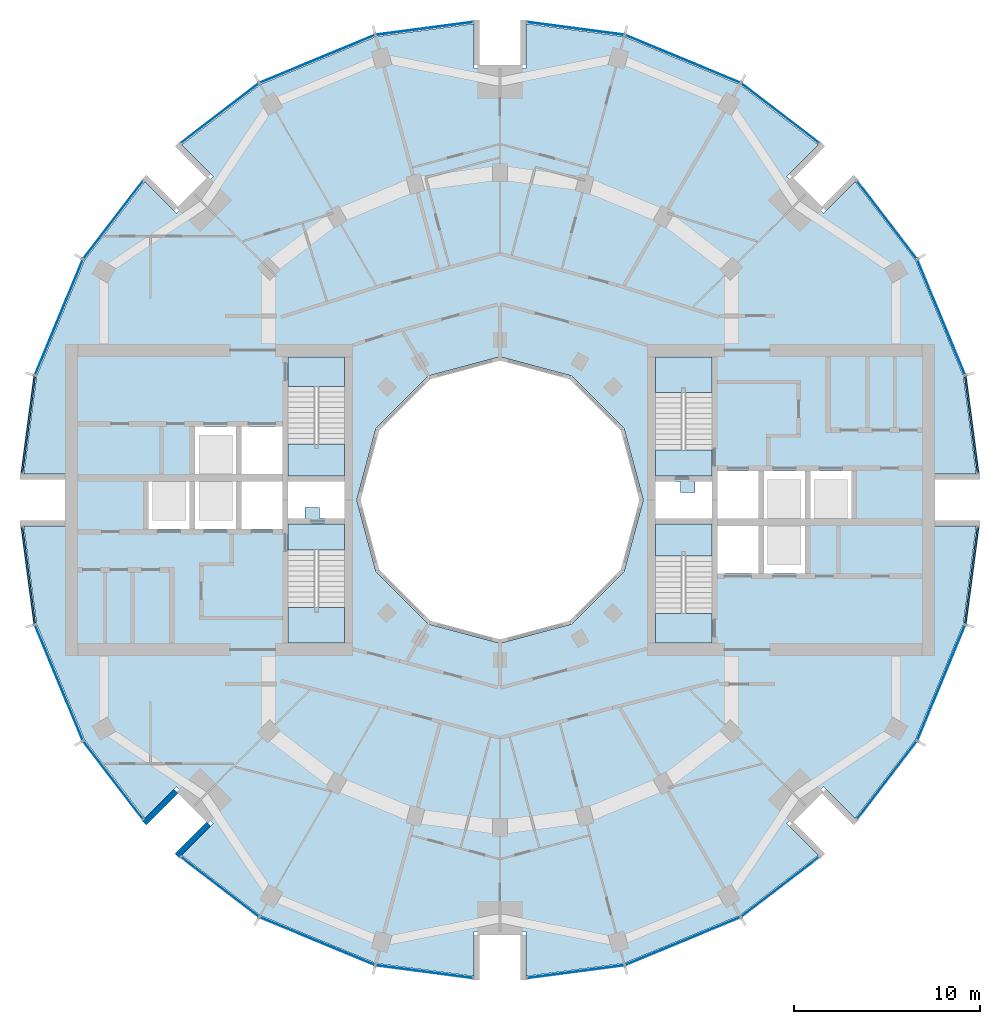
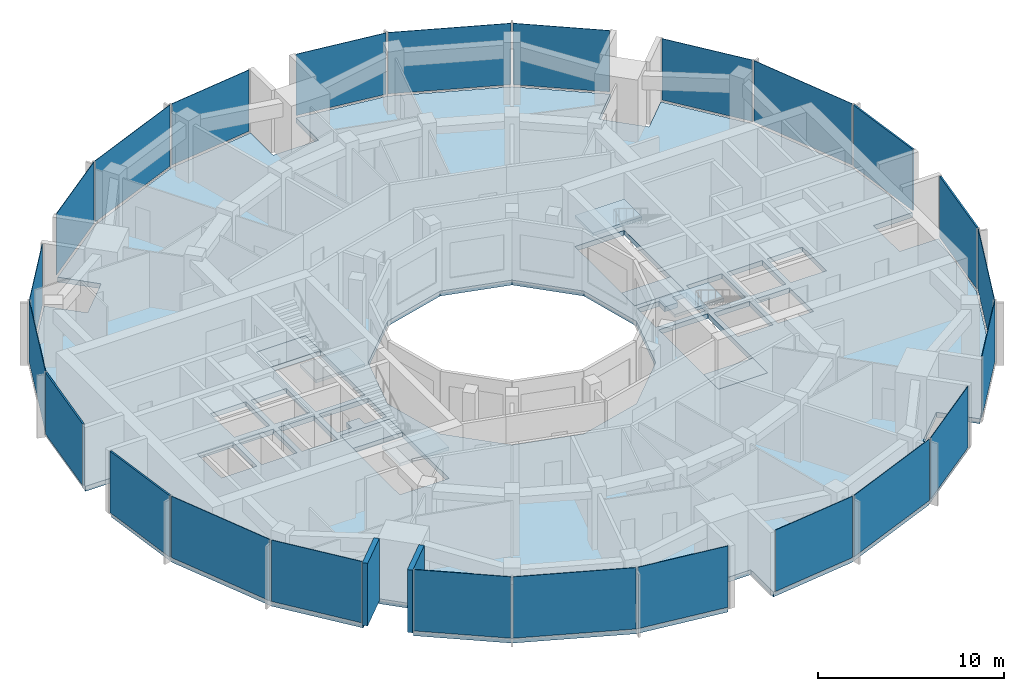
# One storey, part 7 of 15: 24 plates, 9 slabs, 2 walls, 28 elements without a shape of their own.
"""IFC4 building model written with IfcOpenShell, lengths in metres."""

from ifc_helpers import new_model, si_unit, direction, frame, frame_2d, origin, origin_2d, place, context, subcontext, project, spatial, polyline, rectangle, outline, extrude, material, layer, layer_set, type_object, element, aggregate, save


model = new_model("IFC4")

# Units and contexts
model_context = context("Model", 3, precision=1e-05, world=origin(), true_north=direction((0.0, 1.0)))
body_context = subcontext(model_context, "Body", "Model", "MODEL_VIEW")
ifc_project = project(units=[si_unit("LENGTHUNIT", "METRE"), si_unit("AREAUNIT", "SQUARE_METRE"), si_unit("VOLUMEUNIT", "CUBIC_METRE"), si_unit("PLANEANGLEUNIT", "RADIAN"), si_unit("MASSUNIT", "GRAM", prefix="KILO")], contexts=[model_context])

# Site, building, storey
site_placement = place(None, origin())
site = spatial("IfcSite", under=ifc_project, at=site_placement, CompositionType="ELEMENT")
building_placement = place(site_placement, origin())
building = spatial("IfcBuilding", under=site, at=building_placement, Name="Torre Brocal", CompositionType="ELEMENT")
storey_placement = place(building_placement, frame((0.0, 0.0, 194.60009765625)))
storey = spatial("IfcBuildingStorey", under=building, at=storey_placement, Name="L45", CompositionType="ELEMENT", Elevation=194.60009765625)

# Curtain wall, plate
ifc_material_1 = material(Name="Aluminium and glass", Category="aluminium")
ifc_layer_1 = layer(ifc_material_1, 0.199951171875)
ifc_layer_set_1 = layer_set([ifc_layer_1], Name="Aluminium and glass")
curtain_wall_type_1 = type_object("IfcCurtainWallType", Name="CW-1 CURTAIN WALL 4100 HIGH", PredefinedType="NOTDEFINED", material=ifc_layer_set_1)
curtain_wall_1_placement = place(storey_placement, origin())
curtain_wall_1 = element("IfcCurtainWall", 1, at=curtain_wall_1_placement, inside=storey, type_object=curtain_wall_type_1, Name="CW-1 RUN 2", PredefinedType="NOTDEFINED")
ifc_material_2 = material(Name="Glass, dark tinted laminated", Category="glass")
ifc_layer_2 = layer(ifc_material_2, 0.031982421875)
ifc_layer_set_2 = layer_set([ifc_layer_2], Name="Glass, dark tinted laminated")
plate_type_1 = type_object("IfcPlateType", Name="CW-1 GLASS PANEL 32", PredefinedType="CURTAIN_PANEL", material=ifc_layer_set_2)
plate_1_placement = place(storey_placement, frame((103.722900390625, 84.826416015625, 0.079833984375), z_axis=(0.0, 0.0, 1.0), x_axis=(-0.382683432333, 0.923879532525, 0.0)))
plate_1 = element("IfcPlate", 2, at=plate_1_placement, type_object=plate_type_1, Name="CW1-4 panel 1.1", PredefinedType="CURTAIN_PANEL", context=body_context, shape_type="SweptSolid", body=[
    extrude(rectangle(XDim=6.64111328125, YDim=0.031982421875, at=origin_2d()), origin(), (0.0, 0.0, 1.0), 4.02001953125),
])
aggregate(curtain_wall_1, [plate_1])

curtain_wall_2_placement = place(storey_placement, origin())
curtain_wall_2 = element("IfcCurtainWall", 3, at=curtain_wall_2_placement, inside=storey, type_object=curtain_wall_type_1, Name="CW-1 RUN 3", PredefinedType="NOTDEFINED")
plate_2_placement = place(storey_placement, frame((100.80126953125, 90.0712890625, 0.079833984375), z_axis=(0.0, 0.0, 1.0), x_axis=(-0.60876142905, 0.793353340259, 0.0)))
plate_2 = element("IfcPlate", 4, at=plate_2_placement, type_object=plate_type_1, Name="CW1-4 panel 1.1", PredefinedType="CURTAIN_PANEL", context=body_context, shape_type="SweptSolid", body=[
    extrude(rectangle(XDim=5.22900390625, YDim=0.031982421875, at=origin_2d()), origin(), (0.0, 0.0, 1.0), 4.02001953125),
])
aggregate(curtain_wall_2, [plate_2])

curtain_wall_3_placement = place(storey_placement, origin())
curtain_wall_3 = element("IfcCurtainWall", 5, at=curtain_wall_3_placement, inside=storey, type_object=curtain_wall_type_1, Name="CW-1 RUN 4", PredefinedType="NOTDEFINED")
plate_3_placement = place(storey_placement, frame((95.0712890625, 95.80126953125, 0.079833984375), z_axis=(0.0, 0.0, 1.0), x_axis=(-0.793353340259, 0.60876142905, 0.0)))
plate_3 = element("IfcPlate", 6, at=plate_3_placement, type_object=plate_type_1, Name="CW1-4 panel 1.1", PredefinedType="CURTAIN_PANEL", context=body_context, shape_type="SweptSolid", body=[
    extrude(rectangle(XDim=5.22900390625, YDim=0.031982421875, at=origin_2d()), origin(), (0.0, 0.0, 1.0), 4.02001953125),
])
aggregate(curtain_wall_3, [plate_3])

curtain_wall_4_placement = place(storey_placement, origin())
curtain_wall_4 = element("IfcCurtainWall", 7, at=curtain_wall_4_placement, inside=storey, type_object=curtain_wall_type_1, Name="CW-1 RUN 5", PredefinedType="NOTDEFINED")
plate_4_placement = place(storey_placement, frame((89.826416015625, 98.722900390625, 0.079833984375), z_axis=(0.0, 0.0, 1.0), x_axis=(-0.923879532525, 0.382683432333, 0.0)))
plate_4 = element("IfcPlate", 8, at=plate_4_placement, type_object=plate_type_1, Name="CW1-4 panel 1.1", PredefinedType="CURTAIN_PANEL", context=body_context, shape_type="SweptSolid", body=[
    extrude(rectangle(XDim=6.64111328125, YDim=0.031982421875, at=origin_2d()), origin(), (0.0, 0.0, 1.0), 4.02001953125),
])
aggregate(curtain_wall_4, [plate_4])

curtain_wall_5_placement = place(storey_placement, origin())
curtain_wall_5 = element("IfcCurtainWall", 9, at=curtain_wall_5_placement, inside=storey, type_object=curtain_wall_type_1, Name="CW-1 RUN 6", PredefinedType="NOTDEFINED")
plate_5_placement = place(storey_placement, frame((84.051513671875, 100.36572265625, 0.079833984375), z_axis=(0.0, 0.0, 1.0), x_axis=(-0.991444861374, 0.13052619222, 0.0)))
plate_5 = element("IfcPlate", 10, at=plate_5_placement, type_object=plate_type_1, Name="CW1-4 panel 1.1", PredefinedType="CURTAIN_PANEL", context=body_context, shape_type="SweptSolid", body=[
    extrude(rectangle(XDim=5.22900390625, YDim=0.031982421875, at=origin_2d()), origin(), (0.0, 0.0, 1.0), 4.02001953125),
])
aggregate(curtain_wall_5, [plate_5])

curtain_wall_6_placement = place(storey_placement, origin())
curtain_wall_6 = element("IfcCurtainWall", 11, at=curtain_wall_6_placement, inside=storey, type_object=curtain_wall_type_1, Name="CW-1 RUN 7", PredefinedType="NOTDEFINED")
plate_6_placement = place(storey_placement, frame((75.948486328125, 100.36572265625, 0.079833984375), z_axis=(0.0, 0.0, 1.0), x_axis=(-0.991444861374, -0.13052619222, 0.0)))
plate_6 = element("IfcPlate", 12, at=plate_6_placement, type_object=plate_type_1, Name="CW1-4 panel 1.1", PredefinedType="CURTAIN_PANEL", context=body_context, shape_type="SweptSolid", body=[
    extrude(rectangle(XDim=5.22900390625, YDim=0.031982421875, at=origin_2d()), origin(), (0.0, 0.0, 1.0), 4.02001953125),
])
aggregate(curtain_wall_6, [plate_6])

curtain_wall_7_placement = place(storey_placement, origin())
curtain_wall_7 = element("IfcCurtainWall", 13, at=curtain_wall_7_placement, inside=storey, type_object=curtain_wall_type_1, Name="CW-1 RUN 8", PredefinedType="NOTDEFINED")
plate_7_placement = place(storey_placement, frame((70.173583984375, 98.722900390625, 0.079833984375), z_axis=(0.0, 0.0, 1.0), x_axis=(-0.923879532525, -0.382683432333, 0.0)))
plate_7 = element("IfcPlate", 14, at=plate_7_placement, type_object=plate_type_1, Name="CW1-4 panel 1.1", PredefinedType="CURTAIN_PANEL", context=body_context, shape_type="SweptSolid", body=[
    extrude(rectangle(XDim=6.64111328125, YDim=0.031982421875, at=origin_2d()), origin(), (0.0, 0.0, 1.0), 4.02001953125),
])
aggregate(curtain_wall_7, [plate_7])

curtain_wall_8_placement = place(storey_placement, origin())
curtain_wall_8 = element("IfcCurtainWall", 15, at=curtain_wall_8_placement, inside=storey, type_object=curtain_wall_type_1, Name="CW-1 RUN 9", PredefinedType="NOTDEFINED")
plate_8_placement = place(storey_placement, frame((64.9287109375, 95.80126953125, 0.079833984375), z_axis=(0.0, 0.0, 1.0), x_axis=(-0.793353340259, -0.60876142905, 0.0)))
plate_8 = element("IfcPlate", 16, at=plate_8_placement, type_object=plate_type_1, Name="CW1-4 panel 1.1", PredefinedType="CURTAIN_PANEL", context=body_context, shape_type="SweptSolid", body=[
    extrude(rectangle(XDim=5.22900390625, YDim=0.031982421875, at=origin_2d()), origin(), (0.0, 0.0, 1.0), 4.02001953125),
])
aggregate(curtain_wall_8, [plate_8])

curtain_wall_9_placement = place(storey_placement, origin())
curtain_wall_9 = element("IfcCurtainWall", 17, at=curtain_wall_9_placement, inside=storey, type_object=curtain_wall_type_1, Name="CW-1 RUN 10", PredefinedType="NOTDEFINED")
plate_9_placement = place(storey_placement, frame((59.19873046875, 90.0712890625, 0.079833984375), z_axis=(0.0, 0.0, 1.0), x_axis=(-0.60876142905, -0.793353340259, 0.0)))
plate_9 = element("IfcPlate", 18, at=plate_9_placement, type_object=plate_type_1, Name="CW1-4 panel 1.1", PredefinedType="CURTAIN_PANEL", context=body_context, shape_type="SweptSolid", body=[
    extrude(rectangle(XDim=5.22900390625, YDim=0.031982421875, at=origin_2d()), origin(), (0.0, 0.0, 1.0), 4.02001953125),
])
aggregate(curtain_wall_9, [plate_9])

curtain_wall_10_placement = place(storey_placement, origin())
curtain_wall_10 = element("IfcCurtainWall", 19, at=curtain_wall_10_placement, inside=storey, type_object=curtain_wall_type_1, Name="CW-1 RUN 11", PredefinedType="NOTDEFINED")
plate_10_placement = place(storey_placement, frame((56.277099609375, 84.826416015625, 0.079833984375), z_axis=(0.0, 0.0, 1.0), x_axis=(-0.382683432333, -0.923879532525, 0.0)))
plate_10 = element("IfcPlate", 20, at=plate_10_placement, type_object=plate_type_1, Name="CW1-4 panel 1.1", PredefinedType="CURTAIN_PANEL", context=body_context, shape_type="SweptSolid", body=[
    extrude(rectangle(XDim=6.64111328125, YDim=0.031982421875, at=origin_2d()), origin(), (0.0, 0.0, 1.0), 4.02001953125),
])
aggregate(curtain_wall_10, [plate_10])

curtain_wall_11_placement = place(storey_placement, origin())
curtain_wall_11 = element("IfcCurtainWall", 21, at=curtain_wall_11_placement, inside=storey, type_object=curtain_wall_type_1, Name="CW-1 RUN 14", PredefinedType="NOTDEFINED")
plate_11_placement = place(storey_placement, frame((56.277099609375, 65.173583984375, 0.079833984375), z_axis=(0.0, 0.0, 1.0), x_axis=(0.382683432333, -0.923879532525, 0.0)))
plate_11 = element("IfcPlate", 22, at=plate_11_placement, type_object=plate_type_1, Name="CW1-4 panel 1.1", PredefinedType="CURTAIN_PANEL", context=body_context, shape_type="SweptSolid", body=[
    extrude(rectangle(XDim=6.64111328125, YDim=0.031982421875, at=origin_2d()), origin(), (0.0, 0.0, 1.0), 4.02001953125),
])
aggregate(curtain_wall_11, [plate_11])

curtain_wall_12_placement = place(storey_placement, origin())
curtain_wall_12 = element("IfcCurtainWall", 23, at=curtain_wall_12_placement, inside=storey, type_object=curtain_wall_type_1, Name="CW-1 RUN 15", PredefinedType="NOTDEFINED")
plate_12_placement = place(storey_placement, frame((59.19873046875, 59.9287109375, 0.079833984375), z_axis=(0.0, 0.0, 1.0), x_axis=(0.60876142905, -0.793353340259, 0.0)))
plate_12 = element("IfcPlate", 24, at=plate_12_placement, type_object=plate_type_1, Name="CW1-4 panel 1.1", PredefinedType="CURTAIN_PANEL", context=body_context, shape_type="SweptSolid", body=[
    extrude(rectangle(XDim=5.22900390625, YDim=0.031982421875, at=origin_2d()), origin(), (0.0, 0.0, 1.0), 4.02001953125),
])
aggregate(curtain_wall_12, [plate_12])

curtain_wall_13_placement = place(storey_placement, origin())
curtain_wall_13 = element("IfcCurtainWall", 25, at=curtain_wall_13_placement, inside=storey, type_object=curtain_wall_type_1, Name="CW-1 RUN 16", PredefinedType="NOTDEFINED")
plate_13_placement = place(storey_placement, frame((64.9287109375, 54.19873046875, 0.079833984375), z_axis=(0.0, 0.0, 1.0), x_axis=(0.793353340259, -0.60876142905, 0.0)))
plate_13 = element("IfcPlate", 26, at=plate_13_placement, type_object=plate_type_1, Name="CW1-4 panel 1.1", PredefinedType="CURTAIN_PANEL", context=body_context, shape_type="SweptSolid", body=[
    extrude(rectangle(XDim=5.22900390625, YDim=0.031982421875, at=origin_2d()), origin(), (0.0, 0.0, 1.0), 4.02001953125),
])
aggregate(curtain_wall_13, [plate_13])

curtain_wall_14_placement = place(storey_placement, origin())
curtain_wall_14 = element("IfcCurtainWall", 27, at=curtain_wall_14_placement, inside=storey, type_object=curtain_wall_type_1, Name="CW-1 RUN 17", PredefinedType="NOTDEFINED")
plate_14_placement = place(storey_placement, frame((70.173583984375, 51.277099609375, 0.079833984375), z_axis=(0.0, 0.0, 1.0), x_axis=(0.923879532525, -0.382683432333, 0.0)))
plate_14 = element("IfcPlate", 28, at=plate_14_placement, type_object=plate_type_1, Name="CW1-4 panel 1.1", PredefinedType="CURTAIN_PANEL", context=body_context, shape_type="SweptSolid", body=[
    extrude(rectangle(XDim=6.64111328125, YDim=0.031982421875, at=origin_2d()), origin(), (0.0, 0.0, 1.0), 4.02001953125),
])
aggregate(curtain_wall_14, [plate_14])

curtain_wall_15_placement = place(storey_placement, origin())
curtain_wall_15 = element("IfcCurtainWall", 29, at=curtain_wall_15_placement, inside=storey, type_object=curtain_wall_type_1, Name="CW-1 RUN 18", PredefinedType="NOTDEFINED")
plate_15_placement = place(storey_placement, frame((75.948486328125, 49.63427734375, 0.079833984375), z_axis=(0.0, 0.0, 1.0), x_axis=(0.991444861374, -0.13052619222, 0.0)))
plate_15 = element("IfcPlate", 30, at=plate_15_placement, type_object=plate_type_1, Name="CW1-4 panel 1.1", PredefinedType="CURTAIN_PANEL", context=body_context, shape_type="SweptSolid", body=[
    extrude(rectangle(XDim=5.22900390625, YDim=0.031982421875, at=origin_2d()), origin(), (0.0, 0.0, 1.0), 4.02001953125),
])
aggregate(curtain_wall_15, [plate_15])

curtain_wall_16_placement = place(storey_placement, origin())
curtain_wall_16 = element("IfcCurtainWall", 31, at=curtain_wall_16_placement, inside=storey, type_object=curtain_wall_type_1, Name="CW-1 RUN 19", PredefinedType="NOTDEFINED")
plate_16_placement = place(storey_placement, frame((84.051513671875, 49.63427734375, 0.079833984375), z_axis=(0.0, 0.0, 1.0), x_axis=(0.991444861374, 0.13052619222, 0.0)))
plate_16 = element("IfcPlate", 32, at=plate_16_placement, type_object=plate_type_1, Name="CW1-4 panel 1.1", PredefinedType="CURTAIN_PANEL", context=body_context, shape_type="SweptSolid", body=[
    extrude(rectangle(XDim=5.22900390625, YDim=0.031982421875, at=origin_2d()), origin(), (0.0, 0.0, 1.0), 4.02001953125),
])
aggregate(curtain_wall_16, [plate_16])

curtain_wall_17_placement = place(storey_placement, origin())
curtain_wall_17 = element("IfcCurtainWall", 33, at=curtain_wall_17_placement, inside=storey, type_object=curtain_wall_type_1, Name="CW-1 RUN 20", PredefinedType="NOTDEFINED")
plate_17_placement = place(storey_placement, frame((89.826416015625, 51.277099609375, 0.079833984375), z_axis=(0.0, 0.0, 1.0), x_axis=(0.923879532525, 0.382683432333, 0.0)))
plate_17 = element("IfcPlate", 34, at=plate_17_placement, type_object=plate_type_1, Name="CW1-4 panel 1.1", PredefinedType="CURTAIN_PANEL", context=body_context, shape_type="SweptSolid", body=[
    extrude(rectangle(XDim=6.64111328125, YDim=0.031982421875, at=origin_2d()), origin(), (0.0, 0.0, 1.0), 4.02001953125),
])
aggregate(curtain_wall_17, [plate_17])

curtain_wall_18_placement = place(storey_placement, origin())
curtain_wall_18 = element("IfcCurtainWall", 35, at=curtain_wall_18_placement, inside=storey, type_object=curtain_wall_type_1, Name="CW-1 RUN 21", PredefinedType="NOTDEFINED")
plate_18_placement = place(storey_placement, frame((95.0712890625, 54.19873046875, 0.079833984375), z_axis=(0.0, 0.0, 1.0), x_axis=(0.793353340259, 0.60876142905, 0.0)))
plate_18 = element("IfcPlate", 36, at=plate_18_placement, type_object=plate_type_1, Name="CW1-4 panel 1.1", PredefinedType="CURTAIN_PANEL", context=body_context, shape_type="SweptSolid", body=[
    extrude(rectangle(XDim=5.22900390625, YDim=0.031982421875, at=origin_2d()), origin(), (0.0, 0.0, 1.0), 4.02001953125),
])
aggregate(curtain_wall_18, [plate_18])

curtain_wall_19_placement = place(storey_placement, origin())
curtain_wall_19 = element("IfcCurtainWall", 37, at=curtain_wall_19_placement, inside=storey, type_object=curtain_wall_type_1, Name="CW-1 RUN 22", PredefinedType="NOTDEFINED")
plate_19_placement = place(storey_placement, frame((100.80126953125, 59.9287109375, 0.079833984375), z_axis=(0.0, 0.0, 1.0), x_axis=(0.60876142905, 0.793353340259, 0.0)))
plate_19 = element("IfcPlate", 38, at=plate_19_placement, type_object=plate_type_1, Name="CW1-4 panel 1.1", PredefinedType="CURTAIN_PANEL", context=body_context, shape_type="SweptSolid", body=[
    extrude(rectangle(XDim=5.22900390625, YDim=0.031982421875, at=origin_2d()), origin(), (0.0, 0.0, 1.0), 4.02001953125),
])
aggregate(curtain_wall_19, [plate_19])

curtain_wall_20_placement = place(storey_placement, origin())
curtain_wall_20 = element("IfcCurtainWall", 39, at=curtain_wall_20_placement, inside=storey, type_object=curtain_wall_type_1, Name="CW-1 RUN 23", PredefinedType="NOTDEFINED")
plate_20_placement = place(storey_placement, frame((103.722900390625, 65.173583984375, 0.079833984375), z_axis=(0.0, 0.0, 1.0), x_axis=(0.382683432333, 0.923879532525, 0.0)))
plate_20 = element("IfcPlate", 40, at=plate_20_placement, type_object=plate_type_1, Name="CW1-4 panel 1.1", PredefinedType="CURTAIN_PANEL", context=body_context, shape_type="SweptSolid", body=[
    extrude(rectangle(XDim=6.64111328125, YDim=0.031982421875, at=origin_2d()), origin(), (0.0, 0.0, 1.0), 4.02001953125),
])
aggregate(curtain_wall_20, [plate_20])

ifc_material_3 = material(Name="Aluminium and glass", Category="aluminium")
ifc_layer_3 = layer(ifc_material_3, 0.199951171875)
ifc_layer_set_3 = layer_set([ifc_layer_3], Name="Aluminium and glass")
curtain_wall_type_2 = type_object("IfcCurtainWallType", Name="CW-1B CURTAIN WALL 4100 HIGH", PredefinedType="NOTDEFINED", material=ifc_layer_set_3)
curtain_wall_21_placement = place(storey_placement, origin())
curtain_wall_21 = element("IfcCurtainWall", 41, at=curtain_wall_21_placement, inside=storey, type_object=curtain_wall_type_2, Name="CW-1B RUN 1", PredefinedType="NOTDEFINED")
ifc_material_4 = material(Name="Aluminium composite panel", Category="aluminium")
ifc_layer_4 = layer(ifc_material_4, 0.10009765625)
ifc_layer_set_4 = layer_set([ifc_layer_4], Name="Aluminium composite panel")
plate_type_2 = type_object("IfcPlateType", Name="CW-1B OPAQUE PANEL 100", PredefinedType="CURTAIN_PANEL", material=ifc_layer_set_4)
plate_21_placement = place(storey_placement, frame((105.36572265625, 79.051513671875, 0.079833984375), z_axis=(0.0, 0.0, 1.0), x_axis=(-0.13052619222, 0.991444861374, 0.0)))
plate_21 = element("IfcPlate", 42, at=plate_21_placement, type_object=plate_type_2, Name="CW1B-4 panel 1.1", PredefinedType="CURTAIN_PANEL", context=body_context, shape_type="SweptSolid", body=[
    extrude(rectangle(XDim=5.22900390625, YDim=0.10009765625, at=origin_2d()), origin(), (0.0, 0.0, 1.0), 4.02001953125),
])
aggregate(curtain_wall_21, [plate_21])

curtain_wall_22_placement = place(storey_placement, origin())
curtain_wall_22 = element("IfcCurtainWall", 43, at=curtain_wall_22_placement, inside=storey, type_object=curtain_wall_type_2, Name="CW-1B RUN 12", PredefinedType="NOTDEFINED")
plate_22_placement = place(storey_placement, frame((54.63427734375, 79.051513671875, 0.079833984375), z_axis=(0.0, 0.0, 1.0), x_axis=(-0.13052619222, -0.991444861374, 0.0)))
plate_22 = element("IfcPlate", 44, at=plate_22_placement, type_object=plate_type_2, Name="CW1B-4 panel 1.1", PredefinedType="CURTAIN_PANEL", context=body_context, shape_type="SweptSolid", body=[
    extrude(rectangle(XDim=5.22900390625, YDim=0.10009765625, at=origin_2d()), origin(), (0.0, 0.0, 1.0), 4.02001953125),
])
aggregate(curtain_wall_22, [plate_22])

curtain_wall_23_placement = place(storey_placement, origin())
curtain_wall_23 = element("IfcCurtainWall", 45, at=curtain_wall_23_placement, inside=storey, type_object=curtain_wall_type_2, Name="CW-1B RUN 13", PredefinedType="NOTDEFINED")
plate_23_placement = place(storey_placement, frame((54.63427734375, 70.948486328125, 0.079833984375), z_axis=(0.0, 0.0, 1.0), x_axis=(0.13052619222, -0.991444861374, 0.0)))
plate_23 = element("IfcPlate", 46, at=plate_23_placement, type_object=plate_type_2, Name="CW1B-4 panel 1.1", PredefinedType="CURTAIN_PANEL", context=body_context, shape_type="SweptSolid", body=[
    extrude(rectangle(XDim=5.22900390625, YDim=0.10009765625, at=origin_2d()), origin(), (0.0, 0.0, 1.0), 4.02001953125),
])
aggregate(curtain_wall_23, [plate_23])

curtain_wall_24_placement = place(storey_placement, origin())
curtain_wall_24 = element("IfcCurtainWall", 47, at=curtain_wall_24_placement, inside=storey, type_object=curtain_wall_type_2, Name="CW-1B RUN 24", PredefinedType="NOTDEFINED")
plate_24_placement = place(storey_placement, frame((105.36572265625, 70.948486328125, 0.079833984375), z_axis=(0.0, 0.0, 1.0), x_axis=(0.13052619222, 0.991444861374, 0.0)))
plate_24 = element("IfcPlate", 48, at=plate_24_placement, type_object=plate_type_2, Name="CW1B-4 panel 1.1", PredefinedType="CURTAIN_PANEL", context=body_context, shape_type="SweptSolid", body=[
    extrude(rectangle(XDim=5.22900390625, YDim=0.10009765625, at=origin_2d()), origin(), (0.0, 0.0, 1.0), 4.02001953125),
])
aggregate(curtain_wall_24, [plate_24])

# Stair, slab
ifc_material_5 = material(Name="Concrete C50", Category="concrete")
stair_type = type_object("IfcStairType", Name="EXIT STAIR", PredefinedType="HALF_TURN_STAIR", material=ifc_material_5)
stair_1_placement = place(storey_placement, origin())
stair_1 = element("IfcStair", 49, at=stair_1_placement, inside=storey, type_object=stair_type, Name="EXIT STAIR ST1", PredefinedType="HALF_TURN_STAIR")
ifc_material_6 = material(Name="Concrete C50", Category="concrete")
ifc_layer_5 = layer(ifc_material_6, 0.320068359375)
ifc_layer_set_5 = layer_set([ifc_layer_5], Name="Concrete C50")
slab_type_1 = type_object("IfcSlabType", Name="FLOOR LANDING 320", PredefinedType="LANDING", material=ifc_layer_set_5)
slab_1_placement = place(storey_placement, frame((0.0, 0.0, -0.320068359375)))
slab_1 = element("IfcSlab", 50, at=slab_1_placement, type_object=slab_type_1, Name="ST1 landing 1", PredefinedType="LANDING", context=body_context, shape_type="SweptSolid", body=[
    extrude(outline(polyline([(88.35009765625, 76.300048828125), (91.39990234375, 76.300048828125), (91.39990234375, 77.699951171875), (88.35009765625, 77.699951171875), (88.35009765625, 76.300048828125)])), origin(), (0.0, 0.0, 1.0), 0.320068359375),
])

stair_2_placement = place(storey_placement, origin())
stair_2 = element("IfcStair", 51, at=stair_2_placement, inside=storey, type_object=stair_type, Name="EXIT STAIR ST2", PredefinedType="HALF_TURN_STAIR")
slab_2_placement = place(storey_placement, frame((0.0, 0.0, -0.320068359375)))
slab_2 = element("IfcSlab", 52, at=slab_2_placement, type_object=slab_type_1, Name="ST2 landing 1", PredefinedType="LANDING", context=body_context, shape_type="SweptSolid", body=[
    extrude(outline(polyline([(88.35009765625, 67.300048828125), (91.39990234375, 67.300048828125), (91.39990234375, 68.89990234375), (88.35009765625, 68.89990234375), (88.35009765625, 67.300048828125)])), origin(), (0.0, 0.0, 1.0), 0.320068359375),
])

stair_3_placement = place(storey_placement, origin())
stair_3 = element("IfcStair", 53, at=stair_3_placement, inside=storey, type_object=stair_type, Name="EXIT STAIR ST3", PredefinedType="HALF_TURN_STAIR")
slab_3_placement = place(storey_placement, frame((0.0, 0.0, -0.320068359375)))
slab_3 = element("IfcSlab", 54, at=slab_3_placement, type_object=slab_type_1, Name="ST3 landing 1", PredefinedType="LANDING", context=body_context, shape_type="SweptSolid", body=[
    extrude(outline(polyline([(71.64990234375, 73.699951171875), (68.60009765625, 73.699951171875), (68.60009765625, 72.300048828125), (71.64990234375, 72.300048828125), (71.64990234375, 73.699951171875)])), origin(), (0.0, 0.0, 1.0), 0.320068359375),
])

stair_4_placement = place(storey_placement, origin())
stair_4 = element("IfcStair", 55, at=stair_4_placement, inside=storey, type_object=stair_type, Name="EXIT STAIR ST4", PredefinedType="HALF_TURN_STAIR")
slab_4_placement = place(storey_placement, frame((0.0, 0.0, -0.320068359375)))
slab_4 = element("IfcSlab", 56, at=slab_4_placement, type_object=slab_type_1, Name="ST4 landing 1", PredefinedType="LANDING", context=body_context, shape_type="SweptSolid", body=[
    extrude(outline(polyline([(71.64990234375, 82.699951171875), (68.60009765625, 82.699951171875), (68.60009765625, 81.10009765625), (71.64990234375, 81.10009765625), (71.64990234375, 82.699951171875)])), origin(), (0.0, 0.0, 1.0), 0.320068359375),
])

# Slab
ifc_material_7 = material(Name="Concrete C50", Category="concrete")
ifc_layer_6 = layer(ifc_material_7, 0.199951171875)
ifc_layer_set_6 = layer_set([ifc_layer_6], Name="Concrete C50")
slab_type_2 = type_object("IfcSlabType", Name="MID LANDING +2050", PredefinedType="LANDING", material=ifc_layer_set_6)
slab_5_placement = place(storey_placement, frame((0.0, 0.0, 1.849853515625)))
slab_5 = element("IfcSlab", 57, at=slab_5_placement, type_object=slab_type_2, Name="ST1 landing 2", PredefinedType="LANDING", context=body_context, shape_type="SweptSolid", body=[
    extrude(outline(polyline([(88.35009765625, 80.780029296875), (91.39990234375, 80.780029296875), (91.39990234375, 82.699951171875), (88.35009765625, 82.699951171875), (88.35009765625, 80.780029296875)])), origin(), (0.0, 0.0, 1.0), 0.199951171875),
])

aggregate(stair_1, [slab_1, slab_5])

slab_6_placement = place(storey_placement, frame((0.0, 0.0, 1.849853515625)))
slab_6 = element("IfcSlab", 58, at=slab_6_placement, type_object=slab_type_2, Name="ST2 landing 2", PredefinedType="LANDING", context=body_context, shape_type="SweptSolid", body=[
    extrude(outline(polyline([(88.35009765625, 71.97998046875), (91.39990234375, 71.97998046875), (91.39990234375, 73.699951171875), (88.35009765625, 73.699951171875), (88.35009765625, 71.97998046875)])), origin(), (0.0, 0.0, 1.0), 0.199951171875),
])

aggregate(stair_2, [slab_2, slab_6])

slab_7_placement = place(storey_placement, frame((0.0, 0.0, 1.849853515625)))
slab_7 = element("IfcSlab", 59, at=slab_7_placement, type_object=slab_type_2, Name="ST3 landing 2", PredefinedType="LANDING", context=body_context, shape_type="SweptSolid", body=[
    extrude(outline(polyline([(71.64990234375, 69.219970703125), (68.60009765625, 69.219970703125), (68.60009765625, 67.300048828125), (71.64990234375, 67.300048828125), (71.64990234375, 69.219970703125)])), origin(), (0.0, 0.0, 1.0), 0.199951171875),
])

aggregate(stair_3, [slab_3, slab_7])

slab_8_placement = place(storey_placement, frame((0.0, 0.0, 1.849853515625)))
slab_8 = element("IfcSlab", 60, at=slab_8_placement, type_object=slab_type_2, Name="ST4 landing 2", PredefinedType="LANDING", context=body_context, shape_type="SweptSolid", body=[
    extrude(outline(polyline([(71.64990234375, 78.02001953125), (68.60009765625, 78.02001953125), (68.60009765625, 76.300048828125), (71.64990234375, 76.300048828125), (71.64990234375, 78.02001953125)])), origin(), (0.0, 0.0, 1.0), 0.199951171875),
])

aggregate(stair_4, [slab_4, slab_8])

ifc_material_8 = material(Name="Concrete C45", Category="concrete")
ifc_layer_7 = layer(ifc_material_8, 0.320068359375)
ifc_layer_set_7 = layer_set([ifc_layer_7], Name="Concrete C45")
slab_type_3 = type_object("IfcSlabType", Name="PT FLOOR SLAB 320 C45", PredefinedType="FLOOR", material=ifc_layer_set_7)
slab_9_placement = place(storey_placement, frame((0.0, 0.0, -0.320068359375)))
element("IfcSlab", 61, at=slab_9_placement, inside=storey, type_object=slab_type_3, Name="Slab ST-05", PredefinedType="FLOOR", context=body_context, shape_type="SweptSolid", body=[
    extrude(outline(polyline([(103.199951171875, 76.39990234375), (103.199951171875, 73.60009765625), (105.614013671875, 73.60009765625), (104.919189453125, 68.322998046875), (102.342041015625, 62.100830078125), (99.101806640625, 57.878173828125), (97.394775390625, 59.5849609375), (95.4150390625, 57.605224609375), (97.121826171875, 55.898193359375), (92.899169921875, 52.657958984375), (86.677001953125, 50.080810546875), (81.39990234375, 49.385986328125), (81.39990234375, 51.800048828125), (78.60009765625, 51.800048828125), (78.60009765625, 49.385986328125), (73.322998046875, 50.080810546875), (67.100830078125, 52.657958984375), (62.878173828125, 55.898193359375), (64.5849609375, 57.605224609375), (62.605224609375, 59.5849609375), (60.898193359375, 57.878173828125), (57.657958984375, 62.100830078125), (55.080810546875, 68.322998046875), (54.385986328125, 73.60009765625), (56.800048828125, 73.60009765625), (56.800048828125, 76.39990234375), (54.385986328125, 76.39990234375), (55.080810546875, 81.677001953125), (57.657958984375, 87.899169921875), (60.898193359375, 92.121826171875), (62.605224609375, 90.4150390625), (64.5849609375, 92.394775390625), (62.878173828125, 94.101806640625), (67.100830078125, 97.342041015625), (73.322998046875, 99.919189453125), (78.60009765625, 100.614013671875), (78.60009765625, 98.199951171875), (81.39990234375, 98.199951171875), (81.39990234375, 100.614013671875), (86.677001953125, 99.919189453125), (92.899169921875, 97.342041015625), (97.121826171875, 94.101806640625), (95.4150390625, 92.394775390625), (97.394775390625, 90.4150390625), (99.101806640625, 92.121826171875), (102.342041015625, 87.899169921875), (104.919189453125, 81.677001953125), (105.614013671875, 76.39990234375), (103.199951171875, 76.39990234375)]), holes=[polyline([(98.89990234375, 76.550048828125), (96.699951171875, 76.550048828125), (96.699951171875, 74.0), (98.89990234375, 74.0), (98.89990234375, 76.550048828125)]), polyline([(96.39990234375, 76.550048828125), (94.199951171875, 76.550048828125), (94.199951171875, 74.0), (96.39990234375, 74.0), (96.39990234375, 76.550048828125)]), polyline([(96.39990234375, 73.60009765625), (94.199951171875, 73.60009765625), (94.199951171875, 71.050048828125), (96.39990234375, 71.050048828125), (96.39990234375, 73.60009765625)]), polyline([(93.89990234375, 76.550048828125), (91.699951171875, 76.550048828125), (91.699951171875, 74.0), (93.89990234375, 74.0), (93.89990234375, 76.550048828125)]), polyline([(93.89990234375, 73.60009765625), (91.699951171875, 73.60009765625), (91.699951171875, 71.050048828125), (93.89990234375, 71.050048828125), (93.89990234375, 73.60009765625)]), polyline([(89.699951171875, 76.0), (88.35009765625, 76.0), (88.35009765625, 74.0), (91.39990234375, 74.0), (91.39990234375, 76.0), (90.5, 76.0), (90.5, 75.39990234375), (89.699951171875, 75.39990234375), (89.699951171875, 76.0)]), polyline([(91.39990234375, 82.699951171875), (88.35009765625, 82.699951171875), (88.35009765625, 76.300048828125), (91.39990234375, 76.300048828125), (91.39990234375, 82.699951171875)]), polyline([(91.39990234375, 73.699951171875), (88.35009765625, 73.699951171875), (88.35009765625, 67.300048828125), (91.39990234375, 67.300048828125), (91.39990234375, 73.699951171875)]), polyline([(80.0, 82.70703125), (76.146484375, 81.674560546875), (73.325439453125, 78.853515625), (72.29296875, 75.0), (73.325439453125, 71.146484375), (76.146484375, 68.325439453125), (80.0, 67.29296875), (83.853515625, 68.325439453125), (86.674560546875, 71.146484375), (87.70703125, 75.0), (86.674560546875, 78.853515625), (83.853515625, 81.674560546875), (80.0, 82.70703125)]), polyline([(70.300048828125, 74.0), (71.64990234375, 74.0), (71.64990234375, 76.0), (68.60009765625, 76.0), (68.60009765625, 74.0), (69.5, 74.0), (69.5, 74.60009765625), (70.300048828125, 74.60009765625), (70.300048828125, 74.0)]), polyline([(68.60009765625, 76.300048828125), (71.64990234375, 76.300048828125), (71.64990234375, 82.699951171875), (68.60009765625, 82.699951171875), (68.60009765625, 76.300048828125)]), polyline([(68.60009765625, 67.300048828125), (71.64990234375, 67.300048828125), (71.64990234375, 73.699951171875), (68.60009765625, 73.699951171875), (68.60009765625, 67.300048828125)]), polyline([(66.10009765625, 76.39990234375), (68.300048828125, 76.39990234375), (68.300048828125, 78.949951171875), (66.10009765625, 78.949951171875), (66.10009765625, 76.39990234375)]), polyline([(66.10009765625, 73.449951171875), (68.300048828125, 73.449951171875), (68.300048828125, 76.0), (66.10009765625, 76.0), (66.10009765625, 73.449951171875)]), polyline([(63.60009765625, 76.39990234375), (65.800048828125, 76.39990234375), (65.800048828125, 78.949951171875), (63.60009765625, 78.949951171875), (63.60009765625, 76.39990234375)]), polyline([(63.60009765625, 73.449951171875), (65.800048828125, 73.449951171875), (65.800048828125, 76.0), (63.60009765625, 76.0), (63.60009765625, 73.449951171875)]), polyline([(61.10009765625, 73.449951171875), (63.300048828125, 73.449951171875), (63.300048828125, 76.0), (61.10009765625, 76.0), (61.10009765625, 73.449951171875)])]), origin(), (0.0, 0.0, 1.0), 0.320068359375),
])

# Walls
ifc_material_9 = material(Name="Concrete C70", Category="concrete")
ifc_layer_8 = layer(ifc_material_9, 0.300048828125)
ifc_layer_set_8 = layer_set([ifc_layer_8], Name="Concrete C70")
wall_type = type_object("IfcWallType", Name="NOTCH RETURN WALL 300 C70", PredefinedType="NOTDEFINED", material=ifc_layer_set_8)
for number, where, z_axis, x_axis, name in (
    (62, (62.56982421875, 59.337646484375, 0.0), (0.0, 0.0, 1.0), (-0.707106781187, -0.707106781187, 0.0), "NOTCH RETURN WALL"),
    (63, (64.337646484375, 57.56982421875, 0.0), (0.0, 0.0, 1.0), (-0.707106781187, -0.707106781187, 0.0), "NOTCH RETURN WALL"),
):
    element("IfcWall", number, at=place(storey_placement, frame(where, z_axis=z_axis, x_axis=x_axis)), inside=storey, type_object=wall_type, Name=name, PredefinedType="NOTDEFINED", context=body_context, shape_type="SweptSolid", body=[
        extrude(rectangle(XDim=2.415771484375, YDim=0.300048828125, at=frame_2d((1.2080078125, 0.0))), origin(), (0.0, 0.0, 1.0), 4.099853515625),
    ])

save(model, "model.ifc")
